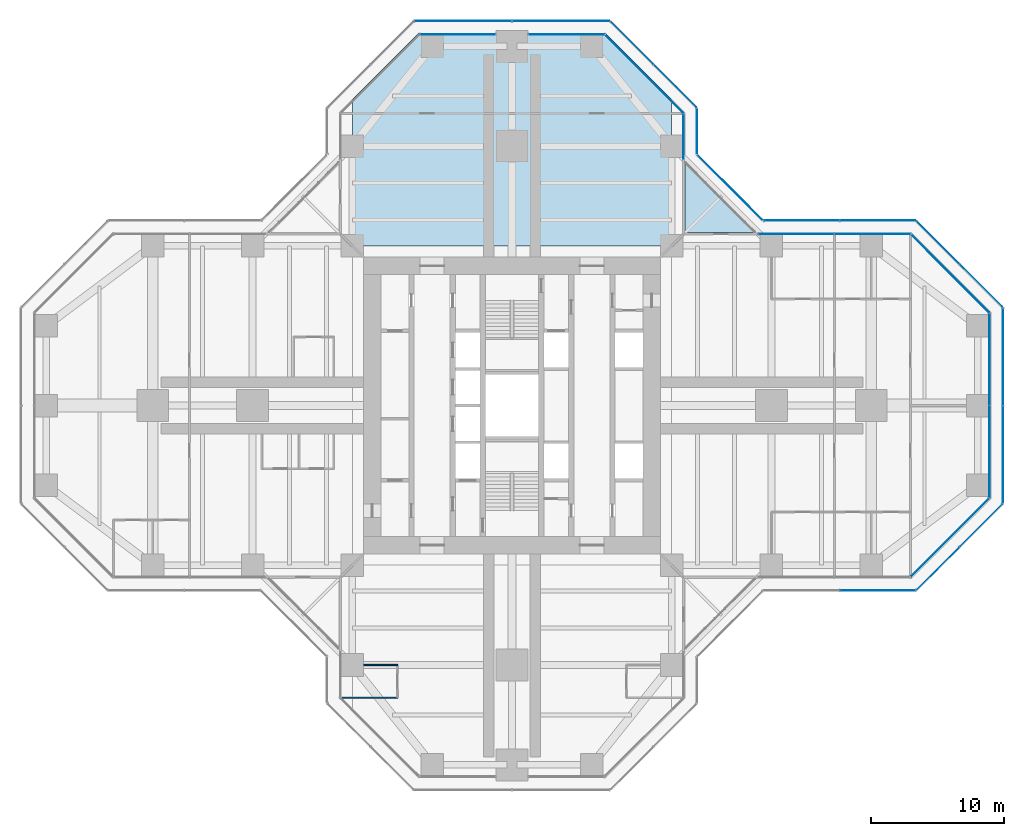
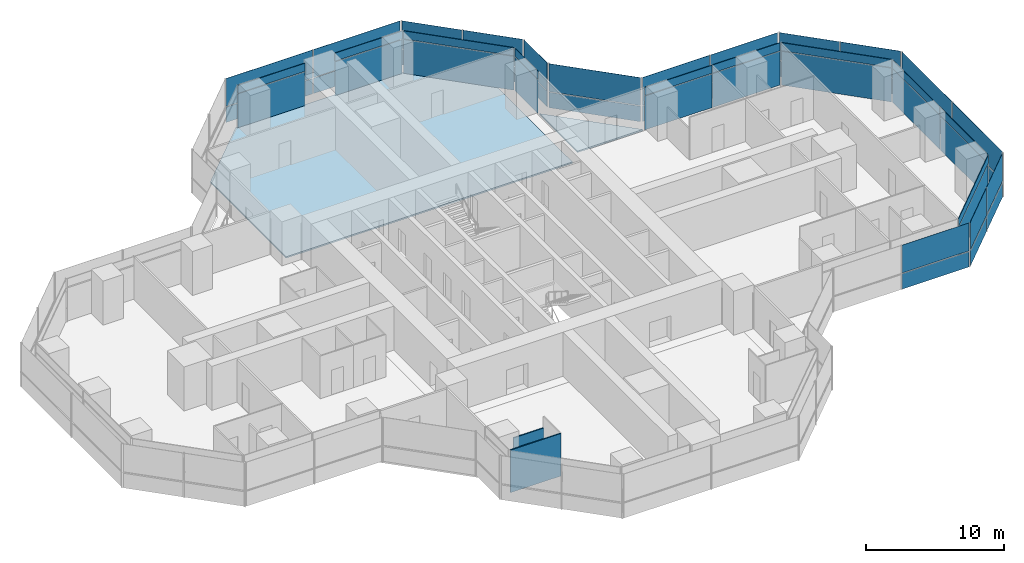
# One storey, part 14 of 20: 50 plates, 2 slabs, 2 walls, 17 elements without a shape of their own.
"""IFC4 building model written with IfcOpenShell, lengths in metres."""

from ifc_helpers import new_model, si_unit, direction, frame, frame_2d, origin, origin_2d, place, context, subcontext, project, spatial, polyline, rectangle, outline, extrude, material, layer, layer_set, type_object, element, aggregate, save


model = new_model("IFC4")

# Units and contexts
model_context = context("Model", 3, precision=1e-05, world=origin(), true_north=direction((0.0, 1.0)))
body_context = subcontext(model_context, "Body", "Model", "MODEL_VIEW")
ifc_project = project(units=[si_unit("LENGTHUNIT", "METRE"), si_unit("AREAUNIT", "SQUARE_METRE"), si_unit("VOLUMEUNIT", "CUBIC_METRE"), si_unit("PLANEANGLEUNIT", "RADIAN"), si_unit("MASSUNIT", "GRAM", prefix="KILO")], contexts=[model_context])

# Site, building, storey
site_placement = place(None, origin())
site = spatial("IfcSite", under=ifc_project, at=site_placement, CompositionType="ELEMENT")
building_placement = place(site_placement, origin())
building = spatial("IfcBuilding", under=site, at=building_placement, Name="Mizan Broadcast Tower", CompositionType="ELEMENT")
storey_placement = place(building_placement, frame((0.0, 0.0, 139.800048828125)))
storey = spatial("IfcBuildingStorey", under=building, at=storey_placement, Name="L31", CompositionType="ELEMENT", Elevation=139.800048828125)

# Slab
ifc_material_1 = material(Name="Concrete C32/40", Category="concrete")
ifc_layer_1 = layer(ifc_material_1, 0.1298828125)
ifc_layer_set_1 = layer_set([ifc_layer_1], Name="Concrete C32/40")
slab_type_1 = type_object("IfcSlabType", Name="COMPOSITE DECK SLAB 130", PredefinedType="FLOOR", material=ifc_layer_set_1)
slab_1_placement = place(storey_placement, frame((0.0, 0.0, -0.130126953125)))
element("IfcSlab", 1, at=slab_1_placement, inside=storey, type_object=slab_type_1, Name="Floor slab L31 north arm", PredefinedType="FLOOR", context=body_context, shape_type="SweptSolid", body=[
    extrude(outline(polyline([(-7.0, 28.0), (-12.0, 23.0), (-12.0, 12.0), (12.0, 12.0), (12.0, 23.0), (7.0, 28.0), (-7.0, 28.0)])), origin(), (0.0, 0.0, 1.0), 0.130126953125),
])

# Curtain wall, plate
ifc_material_2 = material(Name="Aluminium framed glazing", Category="aluminium")
curtain_wall_type_1 = type_object("IfcCurtainWallType", Name="INNER SKIN MID ZONE", PredefinedType="USERDEFINED", material=ifc_material_2)
curtain_wall_1_placement = place(storey_placement, origin())
curtain_wall_1 = element("IfcCurtainWall", 2, at=curtain_wall_1_placement, inside=storey, type_object=curtain_wall_type_1, Name="Inner skin mid zone L31 E chamfer", ObjectType="INNER SKIN MID ZONE", PredefinedType="USERDEFINED")
ifc_material_3 = material(Name="Double glazing, clear low-e", Category="glass")
ifc_layer_2 = layer(ifc_material_3, 0.028076171875)
ifc_layer_set_2 = layer_set([ifc_layer_2], Name="Double glazing, clear low-e")
plate_type_1 = type_object("IfcPlateType", Name="INNER SKIN GLAZING UNIT", PredefinedType="CURTAIN_PANEL", material=ifc_layer_set_2)
plate_1_placement = place(storey_placement, frame((32.92919921875, -9.92919921875, 0.0), z_axis=(0.0, 0.0, 1.0), x_axis=(0.707106781187, 0.707106781187, 0.0)))
plate_1 = element("IfcPlate", 3, at=plate_1_placement, type_object=plate_type_1, Name="Inner skin mid zone L31 E chamfer panel 1.1", PredefinedType="CURTAIN_PANEL", context=body_context, shape_type="SweptSolid", body=[
    extrude(rectangle(XDim=8.282470703125, YDim=0.028076171875, at=origin_2d()), origin(), (0.0, 0.0, 1.0), 3.0),
])

# Curtain wall, plates
curtain_wall_2_placement = place(storey_placement, origin())
curtain_wall_2 = element("IfcCurtainWall", 4, at=curtain_wall_2_placement, inside=storey, type_object=curtain_wall_type_1, Name="Inner skin mid zone L31 E end", ObjectType="INNER SKIN MID ZONE", PredefinedType="USERDEFINED")
plate_2_placement = place(storey_placement, frame((35.89990234375, -3.46435546875, 0.0), z_axis=(0.0, 0.0, 1.0), x_axis=(0.0, 1.0, 0.0)))
plate_2 = element("IfcPlate", 5, at=plate_2_placement, type_object=plate_type_1, Name="Inner skin mid zone L31 E end panel 1.1", PredefinedType="CURTAIN_PANEL", context=body_context, shape_type="SweptSolid", body=[
    extrude(rectangle(XDim=6.86865234375, YDim=0.028076171875, at=origin_2d()), origin(), (0.0, 0.0, 1.0), 3.0),
])
plate_3_placement = place(storey_placement, frame((35.89990234375, 3.46435546875, 0.0), z_axis=(0.0, 0.0, 1.0), x_axis=(0.0, 1.0, 0.0)))
plate_3 = element("IfcPlate", 6, at=plate_3_placement, type_object=plate_type_1, Name="Inner skin mid zone L31 E end panel 2.1", PredefinedType="CURTAIN_PANEL", context=body_context, shape_type="SweptSolid", body=[
    extrude(rectangle(XDim=6.86865234375, YDim=0.028076171875, at=origin_2d()), origin(), (0.0, 0.0, 1.0), 3.0),
])

# Curtain wall, plate
curtain_wall_3_placement = place(storey_placement, origin())
curtain_wall_3 = element("IfcCurtainWall", 7, at=curtain_wall_3_placement, inside=storey, type_object=curtain_wall_type_1, Name="Inner skin mid zone L31 E chamfer", ObjectType="INNER SKIN MID ZONE", PredefinedType="USERDEFINED")
plate_4_placement = place(storey_placement, frame((32.92919921875, 9.92919921875, 0.0), z_axis=(0.0, 0.0, 1.0), x_axis=(-0.707106781187, 0.707106781187, 0.0)))
plate_4 = element("IfcPlate", 8, at=plate_4_placement, type_object=plate_type_1, Name="Inner skin mid zone L31 E chamfer panel 1.1", PredefinedType="CURTAIN_PANEL", context=body_context, shape_type="SweptSolid", body=[
    extrude(rectangle(XDim=8.282470703125, YDim=0.028076171875, at=origin_2d()), origin(), (0.0, 0.0, 1.0), 3.0),
])

# Curtain wall, plates
curtain_wall_4_placement = place(storey_placement, origin())
curtain_wall_4 = element("IfcCurtainWall", 9, at=curtain_wall_4_placement, inside=storey, type_object=curtain_wall_type_1, Name="Inner skin mid zone L31 E side", ObjectType="INNER SKIN MID ZONE", PredefinedType="USERDEFINED")
plate_5_placement = place(storey_placement, frame((27.078857421875, 12.89990234375, 0.0), z_axis=(0.0, 0.0, 1.0), x_axis=(-1.0, 0.0, 0.0)))
plate_5 = element("IfcPlate", 10, at=plate_5_placement, type_object=plate_type_1, Name="Inner skin mid zone L31 E side panel 1.1", PredefinedType="CURTAIN_PANEL", context=body_context, shape_type="SweptSolid", body=[
    extrude(rectangle(XDim=5.639404296875, YDim=0.028076171875, at=origin_2d()), origin(), (0.0, 0.0, 1.0), 3.0),
])
plate_6_placement = place(storey_placement, frame((21.379638671875, 12.89990234375, 0.0), z_axis=(0.0, 0.0, 1.0), x_axis=(-1.0, 0.0, 0.0)))
plate_6 = element("IfcPlate", 11, at=plate_6_placement, type_object=plate_type_1, Name="Inner skin mid zone L31 E side panel 2.1", PredefinedType="CURTAIN_PANEL", context=body_context, shape_type="SweptSolid", body=[
    extrude(rectangle(XDim=5.639404296875, YDim=0.028076171875, at=origin_2d()), origin(), (0.0, 0.0, 1.0), 3.0),
])

# Curtain wall, plate
curtain_wall_5_placement = place(storey_placement, origin())
curtain_wall_5 = element("IfcCurtainWall", 12, at=curtain_wall_5_placement, inside=storey, type_object=curtain_wall_type_1, Name="Inner skin mid zone L31 N side", ObjectType="INNER SKIN MID ZONE", PredefinedType="USERDEFINED")
plate_7_placement = place(storey_placement, frame((12.89990234375, 20.229248046875, 0.0), z_axis=(0.0, 0.0, 1.0), x_axis=(0.0, 1.0, 0.0)))
plate_7 = element("IfcPlate", 13, at=plate_7_placement, type_object=plate_type_1, Name="Inner skin mid zone L31 N side panel 1.1", PredefinedType="CURTAIN_PANEL", context=body_context, shape_type="SweptSolid", body=[
    extrude(rectangle(XDim=3.338623046875, YDim=0.028076171875, at=origin_2d()), origin(), (0.0, 0.0, 1.0), 3.0),
])

curtain_wall_6_placement = place(storey_placement, origin())
curtain_wall_6 = element("IfcCurtainWall", 14, at=curtain_wall_6_placement, inside=storey, type_object=curtain_wall_type_1, Name="Inner skin mid zone L31 N chamfer", ObjectType="INNER SKIN MID ZONE", PredefinedType="USERDEFINED")
plate_8_placement = place(storey_placement, frame((9.92919921875, 24.92919921875, 0.0), z_axis=(0.0, 0.0, 1.0), x_axis=(-0.707106781187, 0.707106781187, 0.0)))
plate_8 = element("IfcPlate", 15, at=plate_8_placement, type_object=plate_type_1, Name="Inner skin mid zone L31 N chamfer panel 1.1", PredefinedType="CURTAIN_PANEL", context=body_context, shape_type="SweptSolid", body=[
    extrude(rectangle(XDim=8.282470703125, YDim=0.028076171875, at=origin_2d()), origin(), (0.0, 0.0, 1.0), 3.0),
])

curtain_wall_7_placement = place(storey_placement, origin())
curtain_wall_7 = element("IfcCurtainWall", 16, at=curtain_wall_7_placement, inside=storey, type_object=curtain_wall_type_1, Name="Inner skin mid zone L31 N end", ObjectType="INNER SKIN MID ZONE", PredefinedType="USERDEFINED")
plate_9_placement = place(storey_placement, frame((4.079345703125, 27.89990234375, 0.0), z_axis=(0.0, 0.0, 1.0), x_axis=(-1.0, 0.0, 0.0)))
plate_9 = element("IfcPlate", 17, at=plate_9_placement, type_object=plate_type_1, Name="Inner skin mid zone L31 N end panel 1.1", PredefinedType="CURTAIN_PANEL", context=body_context, shape_type="SweptSolid", body=[
    extrude(rectangle(XDim=5.638671875, YDim=0.028076171875, at=origin_2d()), origin(), (0.0, 0.0, 1.0), 3.0),
])

curtain_wall_8_placement = place(storey_placement, origin())
curtain_wall_8 = element("IfcCurtainWall", 18, at=curtain_wall_8_placement, inside=storey, type_object=curtain_wall_type_1, Name="Inner skin mid zone L31 N end", ObjectType="INNER SKIN MID ZONE", PredefinedType="USERDEFINED")
plate_10_placement = place(storey_placement, frame((-4.079345703125, 27.89990234375, 0.0), z_axis=(0.0, 0.0, 1.0), x_axis=(-1.0, 0.0, 0.0)))
plate_10 = element("IfcPlate", 19, at=plate_10_placement, type_object=plate_type_1, Name="Inner skin mid zone L31 N end panel 1.1", PredefinedType="CURTAIN_PANEL", context=body_context, shape_type="SweptSolid", body=[
    extrude(rectangle(XDim=5.638671875, YDim=0.028076171875, at=origin_2d()), origin(), (0.0, 0.0, 1.0), 3.0),
])

# Plate
ifc_material_4 = material(Name="Insulated aluminium spandrel panel, pale anodised", Category="aluminium")
ifc_layer_3 = layer(ifc_material_4, 0.050048828125)
ifc_layer_set_3 = layer_set([ifc_layer_3], Name="Insulated aluminium spandrel panel, pale anodised")
plate_type_2 = type_object("IfcPlateType", Name="INNER SKIN SPANDREL PANEL", PredefinedType="CURTAIN_PANEL", material=ifc_layer_set_3)
plate_11_placement = place(storey_placement, frame((32.92919921875, -9.92919921875, 3.06005859375), z_axis=(0.0, 0.0, 1.0), x_axis=(0.707106781187, 0.707106781187, 0.0)))
plate_11 = element("IfcPlate", 20, at=plate_11_placement, type_object=plate_type_2, Name="Inner skin mid zone L31 E chamfer panel 1.2", PredefinedType="CURTAIN_PANEL", context=body_context, shape_type="SweptSolid", body=[
    extrude(rectangle(XDim=8.282470703125, YDim=0.050048828125, at=origin_2d()), origin(), (0.0, 0.0, 1.0), 0.7099609375),
])

aggregate(curtain_wall_1, [plate_1, plate_11])

plate_12_placement = place(storey_placement, frame((35.89990234375, -3.46435546875, 3.06005859375), z_axis=(0.0, 0.0, 1.0), x_axis=(0.0, 1.0, 0.0)))
plate_12 = element("IfcPlate", 21, at=plate_12_placement, type_object=plate_type_2, Name="Inner skin mid zone L31 E end panel 1.2", PredefinedType="CURTAIN_PANEL", context=body_context, shape_type="SweptSolid", body=[
    extrude(rectangle(XDim=6.86865234375, YDim=0.050048828125, at=origin_2d()), origin(), (0.0, 0.0, 1.0), 0.7099609375),
])

plate_13_placement = place(storey_placement, frame((35.89990234375, 3.46435546875, 3.06005859375), z_axis=(0.0, 0.0, 1.0), x_axis=(0.0, 1.0, 0.0)))
plate_13 = element("IfcPlate", 22, at=plate_13_placement, type_object=plate_type_2, Name="Inner skin mid zone L31 E end panel 2.2", PredefinedType="CURTAIN_PANEL", context=body_context, shape_type="SweptSolid", body=[
    extrude(rectangle(XDim=6.86865234375, YDim=0.050048828125, at=origin_2d()), origin(), (0.0, 0.0, 1.0), 0.7099609375),
])

aggregate(curtain_wall_2, [plate_2, plate_12, plate_3, plate_13])

plate_14_placement = place(storey_placement, frame((32.92919921875, 9.92919921875, 3.06005859375), z_axis=(0.0, 0.0, 1.0), x_axis=(-0.707106781187, 0.707106781187, 0.0)))
plate_14 = element("IfcPlate", 23, at=plate_14_placement, type_object=plate_type_2, Name="Inner skin mid zone L31 E chamfer panel 1.2", PredefinedType="CURTAIN_PANEL", context=body_context, shape_type="SweptSolid", body=[
    extrude(rectangle(XDim=8.282470703125, YDim=0.050048828125, at=origin_2d()), origin(), (0.0, 0.0, 1.0), 0.7099609375),
])

aggregate(curtain_wall_3, [plate_4, plate_14])

plate_15_placement = place(storey_placement, frame((27.078857421875, 12.89990234375, 3.06005859375), z_axis=(0.0, 0.0, 1.0), x_axis=(-1.0, 0.0, 0.0)))
plate_15 = element("IfcPlate", 24, at=plate_15_placement, type_object=plate_type_2, Name="Inner skin mid zone L31 E side panel 1.2", PredefinedType="CURTAIN_PANEL", context=body_context, shape_type="SweptSolid", body=[
    extrude(rectangle(XDim=5.639404296875, YDim=0.050048828125, at=origin_2d()), origin(), (0.0, 0.0, 1.0), 0.7099609375),
])

plate_16_placement = place(storey_placement, frame((21.379638671875, 12.89990234375, 3.06005859375), z_axis=(0.0, 0.0, 1.0), x_axis=(-1.0, 0.0, 0.0)))
plate_16 = element("IfcPlate", 25, at=plate_16_placement, type_object=plate_type_2, Name="Inner skin mid zone L31 E side panel 2.2", PredefinedType="CURTAIN_PANEL", context=body_context, shape_type="SweptSolid", body=[
    extrude(rectangle(XDim=5.639404296875, YDim=0.050048828125, at=origin_2d()), origin(), (0.0, 0.0, 1.0), 0.7099609375),
])

aggregate(curtain_wall_4, [plate_5, plate_15, plate_6, plate_16])

plate_17_placement = place(storey_placement, frame((12.89990234375, 20.229248046875, 3.06005859375), z_axis=(0.0, 0.0, 1.0), x_axis=(0.0, 1.0, 0.0)))
plate_17 = element("IfcPlate", 26, at=plate_17_placement, type_object=plate_type_2, Name="Inner skin mid zone L31 N side panel 1.2", PredefinedType="CURTAIN_PANEL", context=body_context, shape_type="SweptSolid", body=[
    extrude(rectangle(XDim=3.338623046875, YDim=0.050048828125, at=origin_2d()), origin(), (0.0, 0.0, 1.0), 0.7099609375),
])

aggregate(curtain_wall_5, [plate_7, plate_17])

plate_18_placement = place(storey_placement, frame((9.92919921875, 24.92919921875, 3.06005859375), z_axis=(0.0, 0.0, 1.0), x_axis=(-0.707106781187, 0.707106781187, 0.0)))
plate_18 = element("IfcPlate", 27, at=plate_18_placement, type_object=plate_type_2, Name="Inner skin mid zone L31 N chamfer panel 1.2", PredefinedType="CURTAIN_PANEL", context=body_context, shape_type="SweptSolid", body=[
    extrude(rectangle(XDim=8.282470703125, YDim=0.050048828125, at=origin_2d()), origin(), (0.0, 0.0, 1.0), 0.7099609375),
])

aggregate(curtain_wall_6, [plate_8, plate_18])

plate_19_placement = place(storey_placement, frame((4.079345703125, 27.89990234375, 3.06005859375), z_axis=(0.0, 0.0, 1.0), x_axis=(-1.0, 0.0, 0.0)))
plate_19 = element("IfcPlate", 28, at=plate_19_placement, type_object=plate_type_2, Name="Inner skin mid zone L31 N end panel 1.2", PredefinedType="CURTAIN_PANEL", context=body_context, shape_type="SweptSolid", body=[
    extrude(rectangle(XDim=5.638671875, YDim=0.050048828125, at=origin_2d()), origin(), (0.0, 0.0, 1.0), 0.7099609375),
])

aggregate(curtain_wall_7, [plate_9, plate_19])

plate_20_placement = place(storey_placement, frame((-4.079345703125, 27.89990234375, 3.06005859375), z_axis=(0.0, 0.0, 1.0), x_axis=(-1.0, 0.0, 0.0)))
plate_20 = element("IfcPlate", 29, at=plate_20_placement, type_object=plate_type_2, Name="Inner skin mid zone L31 N end panel 1.2", PredefinedType="CURTAIN_PANEL", context=body_context, shape_type="SweptSolid", body=[
    extrude(rectangle(XDim=5.638671875, YDim=0.050048828125, at=origin_2d()), origin(), (0.0, 0.0, 1.0), 0.7099609375),
])

aggregate(curtain_wall_8, [plate_10, plate_20])

# Curtain wall, plates
ifc_material_5 = material(Name="Aluminium framed glazing", Category="aluminium")
curtain_wall_type_2 = type_object("IfcCurtainWallType", Name="OUTER SKIN", PredefinedType="USERDEFINED", material=ifc_material_5)
curtain_wall_9_placement = place(storey_placement, origin())
curtain_wall_9 = element("IfcCurtainWall", 30, at=curtain_wall_9_placement, inside=storey, type_object=curtain_wall_type_2, Name="Outer skin L31 E chamfer", ObjectType="OUTER SKIN", PredefinedType="USERDEFINED")
ifc_material_6 = material(Name="Laminated clear glass", Category="glass")
ifc_layer_4 = layer(ifc_material_6, 0.02001953125)
ifc_layer_set_4 = layer_set([ifc_layer_4], Name="Laminated clear glass")
plate_type_3 = type_object("IfcPlateType", Name="OUTER SKIN CLEAR GLASS", PredefinedType="CURTAIN_PANEL", material=ifc_layer_set_4)
plate_21_placement = place(storey_placement, frame((32.018798828125, -12.254150390625, 0.0), z_axis=(0.0, 0.0, 1.0), x_axis=(0.707106781187, 0.707106781187, 0.0)))
plate_21 = element("IfcPlate", 31, at=plate_21_placement, type_object=plate_type_3, Name="Outer skin L31 E chamfer panel 1.1", PredefinedType="CURTAIN_PANEL", context=body_context, shape_type="SweptSolid", body=[
    extrude(rectangle(XDim=4.495361328125, YDim=0.02001953125, at=origin_2d()), origin(), (0.0, 0.0, 1.0), 1.3701171875),
])
plate_22_placement = place(storey_placement, frame((32.018798828125, -12.254150390625, 1.43017578125), z_axis=(0.0, 0.0, 1.0), x_axis=(0.707106781187, 0.707106781187, 0.0)))
plate_22 = element("IfcPlate", 32, at=plate_22_placement, type_object=plate_type_3, Name="Outer skin L31 E chamfer panel 1.2", PredefinedType="CURTAIN_PANEL", context=body_context, shape_type="SweptSolid", body=[
    extrude(rectangle(XDim=4.495361328125, YDim=0.02001953125, at=origin_2d()), origin(), (0.0, 0.0, 1.0), 2.469970703125),
])

curtain_wall_10_placement = place(storey_placement, origin())
curtain_wall_10 = element("IfcCurtainWall", 33, at=curtain_wall_10_placement, inside=storey, type_object=curtain_wall_type_2, Name="Outer skin L31 E end", ObjectType="OUTER SKIN", PredefinedType="USERDEFINED")
plate_23_placement = place(storey_placement, frame((36.89990234375, -3.66650390625, 0.0), z_axis=(0.0, 0.0, 1.0), x_axis=(0.0, 1.0, 0.0)))
plate_23 = element("IfcPlate", 34, at=plate_23_placement, type_object=plate_type_3, Name="Outer skin L31 E end panel 1.1", PredefinedType="CURTAIN_PANEL", context=body_context, shape_type="SweptSolid", body=[
    extrude(rectangle(XDim=7.252685546875, YDim=0.02001953125, at=origin_2d()), origin(), (0.0, 0.0, 1.0), 1.3701171875),
])
plate_24_placement = place(storey_placement, frame((36.89990234375, -3.66650390625, 1.43017578125), z_axis=(0.0, 0.0, 1.0), x_axis=(0.0, 1.0, 0.0)))
plate_24 = element("IfcPlate", 35, at=plate_24_placement, type_object=plate_type_3, Name="Outer skin L31 E end panel 1.2", PredefinedType="CURTAIN_PANEL", context=body_context, shape_type="SweptSolid", body=[
    extrude(rectangle(XDim=7.252685546875, YDim=0.02001953125, at=origin_2d()), origin(), (0.0, 0.0, 1.0), 2.469970703125),
])

curtain_wall_11_placement = place(storey_placement, origin())
curtain_wall_11 = element("IfcCurtainWall", 36, at=curtain_wall_11_placement, inside=storey, type_object=curtain_wall_type_2, Name="Outer skin L31 E chamfer", ObjectType="OUTER SKIN", PredefinedType="USERDEFINED")
plate_25_placement = place(storey_placement, frame((35.254150390625, 9.018798828125, 0.0), z_axis=(0.0, 0.0, 1.0), x_axis=(-0.707106781187, 0.707106781187, 0.0)))
plate_25 = element("IfcPlate", 37, at=plate_25_placement, type_object=plate_type_3, Name="Outer skin L31 E chamfer panel 1.1", PredefinedType="CURTAIN_PANEL", context=body_context, shape_type="SweptSolid", body=[
    extrude(rectangle(XDim=4.495361328125, YDim=0.02001953125, at=origin_2d()), origin(), (0.0, 0.0, 1.0), 1.3701171875),
])
plate_26_placement = place(storey_placement, frame((35.254150390625, 9.018798828125, 1.43017578125), z_axis=(0.0, 0.0, 1.0), x_axis=(-0.707106781187, 0.707106781187, 0.0)))
plate_26 = element("IfcPlate", 38, at=plate_26_placement, type_object=plate_type_3, Name="Outer skin L31 E chamfer panel 1.2", PredefinedType="CURTAIN_PANEL", context=body_context, shape_type="SweptSolid", body=[
    extrude(rectangle(XDim=4.495361328125, YDim=0.02001953125, at=origin_2d()), origin(), (0.0, 0.0, 1.0), 2.469970703125),
])

curtain_wall_12_placement = place(storey_placement, origin())
curtain_wall_12 = element("IfcCurtainWall", 39, at=curtain_wall_12_placement, inside=storey, type_object=curtain_wall_type_2, Name="Outer skin L31 E side", ObjectType="OUTER SKIN", PredefinedType="USERDEFINED")
plate_27_placement = place(storey_placement, frame((27.477783203125, 13.89990234375, 0.0), z_axis=(0.0, 0.0, 1.0), x_axis=(-1.0, 0.0, 0.0)))
plate_27 = element("IfcPlate", 40, at=plate_27_placement, type_object=plate_type_3, Name="Outer skin L31 E side panel 1.1", PredefinedType="CURTAIN_PANEL", context=body_context, shape_type="SweptSolid", body=[
    extrude(rectangle(XDim=5.6298828125, YDim=0.02001953125, at=origin_2d()), origin(), (0.0, 0.0, 1.0), 1.3701171875),
])
plate_28_placement = place(storey_placement, frame((27.477783203125, 13.89990234375, 1.43017578125), z_axis=(0.0, 0.0, 1.0), x_axis=(-1.0, 0.0, 0.0)))
plate_28 = element("IfcPlate", 41, at=plate_28_placement, type_object=plate_type_3, Name="Outer skin L31 E side panel 1.2", PredefinedType="CURTAIN_PANEL", context=body_context, shape_type="SweptSolid", body=[
    extrude(rectangle(XDim=5.6298828125, YDim=0.02001953125, at=origin_2d()), origin(), (0.0, 0.0, 1.0), 2.469970703125),
])
plate_29_placement = place(storey_placement, frame((21.767822265625, 13.89990234375, 0.0), z_axis=(0.0, 0.0, 1.0), x_axis=(-1.0, 0.0, 0.0)))
plate_29 = element("IfcPlate", 42, at=plate_29_placement, type_object=plate_type_3, Name="Outer skin L31 E side panel 2.1", PredefinedType="CURTAIN_PANEL", context=body_context, shape_type="SweptSolid", body=[
    extrude(rectangle(XDim=5.6298828125, YDim=0.02001953125, at=origin_2d()), origin(), (0.0, 0.0, 1.0), 1.3701171875),
])
plate_30_placement = place(storey_placement, frame((21.767822265625, 13.89990234375, 1.43017578125), z_axis=(0.0, 0.0, 1.0), x_axis=(-1.0, 0.0, 0.0)))
plate_30 = element("IfcPlate", 43, at=plate_30_placement, type_object=plate_type_3, Name="Outer skin L31 E side panel 2.2", PredefinedType="CURTAIN_PANEL", context=body_context, shape_type="SweptSolid", body=[
    extrude(rectangle(XDim=5.6298828125, YDim=0.02001953125, at=origin_2d()), origin(), (0.0, 0.0, 1.0), 2.469970703125),
])
aggregate(curtain_wall_12, [plate_27, plate_28, plate_29, plate_30])

curtain_wall_13_placement = place(storey_placement, origin())
curtain_wall_13 = element("IfcCurtainWall", 44, at=curtain_wall_13_placement, inside=storey, type_object=curtain_wall_type_2, Name="Outer skin L31 E chamfer", ObjectType="OUTER SKIN", PredefinedType="USERDEFINED")
plate_31_placement = place(storey_placement, frame((16.386474609375, 16.386474609375, 0.0), z_axis=(0.0, 0.0, 1.0), x_axis=(-0.707106781187, 0.707106781187, 0.0)))
plate_31 = element("IfcPlate", 45, at=plate_31_placement, type_object=plate_type_3, Name="Outer skin L31 E chamfer panel 1.1", PredefinedType="CURTAIN_PANEL", context=body_context, shape_type="SweptSolid", body=[
    extrude(rectangle(XDim=6.87255859375, YDim=0.02001953125, at=origin_2d()), origin(), (0.0, 0.0, 1.0), 1.3701171875),
])
plate_32_placement = place(storey_placement, frame((16.386474609375, 16.386474609375, 1.43017578125), z_axis=(0.0, 0.0, 1.0), x_axis=(-0.707106781187, 0.707106781187, 0.0)))
plate_32 = element("IfcPlate", 46, at=plate_32_placement, type_object=plate_type_3, Name="Outer skin L31 E chamfer panel 1.2", PredefinedType="CURTAIN_PANEL", context=body_context, shape_type="SweptSolid", body=[
    extrude(rectangle(XDim=6.87255859375, YDim=0.02001953125, at=origin_2d()), origin(), (0.0, 0.0, 1.0), 2.469970703125),
])
aggregate(curtain_wall_13, [plate_31, plate_32])

curtain_wall_14_placement = place(storey_placement, origin())
curtain_wall_14 = element("IfcCurtainWall", 47, at=curtain_wall_14_placement, inside=storey, type_object=curtain_wall_type_2, Name="Outer skin L31 N side", ObjectType="OUTER SKIN", PredefinedType="USERDEFINED")
plate_33_placement = place(storey_placement, frame((13.89990234375, 20.622802734375, 0.0), z_axis=(0.0, 0.0, 1.0), x_axis=(0.0, 1.0, 0.0)))
plate_33 = element("IfcPlate", 48, at=plate_33_placement, type_object=plate_type_3, Name="Outer skin L31 N side panel 1.1", PredefinedType="CURTAIN_PANEL", context=body_context, shape_type="SweptSolid", body=[
    extrude(rectangle(XDim=3.340087890625, YDim=0.02001953125, at=origin_2d()), origin(), (0.0, 0.0, 1.0), 1.3701171875),
])
plate_34_placement = place(storey_placement, frame((13.89990234375, 20.622802734375, 1.43017578125), z_axis=(0.0, 0.0, 1.0), x_axis=(0.0, 1.0, 0.0)))
plate_34 = element("IfcPlate", 49, at=plate_34_placement, type_object=plate_type_3, Name="Outer skin L31 N side panel 1.2", PredefinedType="CURTAIN_PANEL", context=body_context, shape_type="SweptSolid", body=[
    extrude(rectangle(XDim=3.340087890625, YDim=0.02001953125, at=origin_2d()), origin(), (0.0, 0.0, 1.0), 2.469970703125),
])
aggregate(curtain_wall_14, [plate_33, plate_34])

curtain_wall_15_placement = place(storey_placement, origin())
curtain_wall_15 = element("IfcCurtainWall", 50, at=curtain_wall_15_placement, inside=storey, type_object=curtain_wall_type_2, Name="Outer skin L31 N chamfer", ObjectType="OUTER SKIN", PredefinedType="USERDEFINED")
plate_35_placement = place(storey_placement, frame((12.254150390625, 24.018798828125, 0.0), z_axis=(0.0, 0.0, 1.0), x_axis=(-0.707106781187, 0.707106781187, 0.0)))
plate_35 = element("IfcPlate", 51, at=plate_35_placement, type_object=plate_type_3, Name="Outer skin L31 N chamfer panel 1.1", PredefinedType="CURTAIN_PANEL", context=body_context, shape_type="SweptSolid", body=[
    extrude(rectangle(XDim=4.495361328125, YDim=0.02001953125, at=origin_2d()), origin(), (0.0, 0.0, 1.0), 1.3701171875),
])
plate_36_placement = place(storey_placement, frame((12.254150390625, 24.018798828125, 1.43017578125), z_axis=(0.0, 0.0, 1.0), x_axis=(-0.707106781187, 0.707106781187, 0.0)))
plate_36 = element("IfcPlate", 52, at=plate_36_placement, type_object=plate_type_3, Name="Outer skin L31 N chamfer panel 1.2", PredefinedType="CURTAIN_PANEL", context=body_context, shape_type="SweptSolid", body=[
    extrude(rectangle(XDim=4.495361328125, YDim=0.02001953125, at=origin_2d()), origin(), (0.0, 0.0, 1.0), 2.469970703125),
])

curtain_wall_16_placement = place(storey_placement, origin())
curtain_wall_16 = element("IfcCurtainWall", 53, at=curtain_wall_16_placement, inside=storey, type_object=curtain_wall_type_2, Name="Outer skin L31 N end", ObjectType="OUTER SKIN", PredefinedType="USERDEFINED")
plate_37_placement = place(storey_placement, frame((3.66650390625, 28.89990234375, 0.0), z_axis=(0.0, 0.0, 1.0), x_axis=(-1.0, 0.0, 0.0)))
plate_37 = element("IfcPlate", 54, at=plate_37_placement, type_object=plate_type_3, Name="Outer skin L31 N end panel 1.1", PredefinedType="CURTAIN_PANEL", context=body_context, shape_type="SweptSolid", body=[
    extrude(rectangle(XDim=7.252685546875, YDim=0.02001953125, at=origin_2d()), origin(), (0.0, 0.0, 1.0), 1.3701171875),
])
plate_38_placement = place(storey_placement, frame((3.66650390625, 28.89990234375, 1.43017578125), z_axis=(0.0, 0.0, 1.0), x_axis=(-1.0, 0.0, 0.0)))
plate_38 = element("IfcPlate", 55, at=plate_38_placement, type_object=plate_type_3, Name="Outer skin L31 N end panel 1.2", PredefinedType="CURTAIN_PANEL", context=body_context, shape_type="SweptSolid", body=[
    extrude(rectangle(XDim=7.252685546875, YDim=0.02001953125, at=origin_2d()), origin(), (0.0, 0.0, 1.0), 2.469970703125),
])
plate_39_placement = place(storey_placement, frame((-3.66650390625, 28.89990234375, 0.0), z_axis=(0.0, 0.0, 1.0), x_axis=(-1.0, 0.0, 0.0)))
plate_39 = element("IfcPlate", 56, at=plate_39_placement, type_object=plate_type_3, Name="Outer skin L31 N end panel 2.1", PredefinedType="CURTAIN_PANEL", context=body_context, shape_type="SweptSolid", body=[
    extrude(rectangle(XDim=7.252685546875, YDim=0.02001953125, at=origin_2d()), origin(), (0.0, 0.0, 1.0), 1.3701171875),
])
plate_40_placement = place(storey_placement, frame((-3.66650390625, 28.89990234375, 1.43017578125), z_axis=(0.0, 0.0, 1.0), x_axis=(-1.0, 0.0, 0.0)))
plate_40 = element("IfcPlate", 57, at=plate_40_placement, type_object=plate_type_3, Name="Outer skin L31 N end panel 2.2", PredefinedType="CURTAIN_PANEL", context=body_context, shape_type="SweptSolid", body=[
    extrude(rectangle(XDim=7.252685546875, YDim=0.02001953125, at=origin_2d()), origin(), (0.0, 0.0, 1.0), 2.469970703125),
])
aggregate(curtain_wall_16, [plate_37, plate_38, plate_39, plate_40])

# Plate
ifc_material_7 = material(Name="Perforated aluminium, pale anodised", Category="aluminium")
ifc_layer_5 = layer(ifc_material_7, 0.011962890625)
ifc_layer_set_5 = layer_set([ifc_layer_5], Name="Perforated aluminium, pale anodised")
plate_type_4 = type_object("IfcPlateType", Name="OUTER SKIN PERFORATED SCREEN", PredefinedType="USERDEFINED", material=ifc_layer_set_5)
plate_41_placement = place(storey_placement, frame((35.254150390625, -9.018798828125, 0.0), z_axis=(0.0, 0.0, 1.0), x_axis=(0.707106781187, 0.707106781187, 0.0)))
plate_41 = element("IfcPlate", 58, at=plate_41_placement, type_object=plate_type_4, Name="Outer skin L31 E chamfer panel 2.1", ObjectType="SCREEN", PredefinedType="USERDEFINED", context=body_context, shape_type="SweptSolid", body=[
    extrude(rectangle(XDim=4.495361328125, YDim=0.011962890625, at=origin_2d()), origin(), (0.0, 0.0, 1.0), 1.3701171875),
])

plate_42_placement = place(storey_placement, frame((35.254150390625, -9.018798828125, 1.43017578125), z_axis=(0.0, 0.0, 1.0), x_axis=(0.707106781187, 0.707106781187, 0.0)))
plate_42 = element("IfcPlate", 59, at=plate_42_placement, type_object=plate_type_4, Name="Outer skin L31 E chamfer panel 2.2", ObjectType="SCREEN", PredefinedType="USERDEFINED", context=body_context, shape_type="SweptSolid", body=[
    extrude(rectangle(XDim=4.495361328125, YDim=0.011962890625, at=origin_2d()), origin(), (0.0, 0.0, 1.0), 2.469970703125),
])

aggregate(curtain_wall_9, [plate_21, plate_22, plate_41, plate_42])

plate_43_placement = place(storey_placement, frame((36.89990234375, 3.66650390625, 0.0), z_axis=(0.0, 0.0, 1.0), x_axis=(0.0, 1.0, 0.0)))
plate_43 = element("IfcPlate", 60, at=plate_43_placement, type_object=plate_type_4, Name="Outer skin L31 E end panel 2.1", ObjectType="SCREEN", PredefinedType="USERDEFINED", context=body_context, shape_type="SweptSolid", body=[
    extrude(rectangle(XDim=7.252685546875, YDim=0.011962890625, at=origin_2d()), origin(), (0.0, 0.0, 1.0), 1.3701171875),
])

plate_44_placement = place(storey_placement, frame((36.89990234375, 3.66650390625, 1.43017578125), z_axis=(0.0, 0.0, 1.0), x_axis=(0.0, 1.0, 0.0)))
plate_44 = element("IfcPlate", 61, at=plate_44_placement, type_object=plate_type_4, Name="Outer skin L31 E end panel 2.2", ObjectType="SCREEN", PredefinedType="USERDEFINED", context=body_context, shape_type="SweptSolid", body=[
    extrude(rectangle(XDim=7.252685546875, YDim=0.011962890625, at=origin_2d()), origin(), (0.0, 0.0, 1.0), 2.469970703125),
])

aggregate(curtain_wall_10, [plate_23, plate_24, plate_43, plate_44])

plate_45_placement = place(storey_placement, frame((32.018798828125, 12.254150390625, 0.0), z_axis=(0.0, 0.0, 1.0), x_axis=(-0.707106781187, 0.707106781187, 0.0)))
plate_45 = element("IfcPlate", 62, at=plate_45_placement, type_object=plate_type_4, Name="Outer skin L31 E chamfer panel 2.1", ObjectType="SCREEN", PredefinedType="USERDEFINED", context=body_context, shape_type="SweptSolid", body=[
    extrude(rectangle(XDim=4.495361328125, YDim=0.011962890625, at=origin_2d()), origin(), (0.0, 0.0, 1.0), 1.3701171875),
])

plate_46_placement = place(storey_placement, frame((32.018798828125, 12.254150390625, 1.43017578125), z_axis=(0.0, 0.0, 1.0), x_axis=(-0.707106781187, 0.707106781187, 0.0)))
plate_46 = element("IfcPlate", 63, at=plate_46_placement, type_object=plate_type_4, Name="Outer skin L31 E chamfer panel 2.2", ObjectType="SCREEN", PredefinedType="USERDEFINED", context=body_context, shape_type="SweptSolid", body=[
    extrude(rectangle(XDim=4.495361328125, YDim=0.011962890625, at=origin_2d()), origin(), (0.0, 0.0, 1.0), 2.469970703125),
])

aggregate(curtain_wall_11, [plate_25, plate_26, plate_45, plate_46])

plate_47_placement = place(storey_placement, frame((9.018798828125, 27.254150390625, 0.0), z_axis=(0.0, 0.0, 1.0), x_axis=(-0.707106781187, 0.707106781187, 0.0)))
plate_47 = element("IfcPlate", 64, at=plate_47_placement, type_object=plate_type_4, Name="Outer skin L31 N chamfer panel 2.1", ObjectType="SCREEN", PredefinedType="USERDEFINED", context=body_context, shape_type="SweptSolid", body=[
    extrude(rectangle(XDim=4.495361328125, YDim=0.011962890625, at=origin_2d()), origin(), (0.0, 0.0, 1.0), 1.3701171875),
])

plate_48_placement = place(storey_placement, frame((9.018798828125, 27.254150390625, 1.43017578125), z_axis=(0.0, 0.0, 1.0), x_axis=(-0.707106781187, 0.707106781187, 0.0)))
plate_48 = element("IfcPlate", 65, at=plate_48_placement, type_object=plate_type_4, Name="Outer skin L31 N chamfer panel 2.2", ObjectType="SCREEN", PredefinedType="USERDEFINED", context=body_context, shape_type="SweptSolid", body=[
    extrude(rectangle(XDim=4.495361328125, YDim=0.011962890625, at=origin_2d()), origin(), (0.0, 0.0, 1.0), 2.469970703125),
])

aggregate(curtain_wall_15, [plate_35, plate_36, plate_47, plate_48])

# Curtain wall, plates
curtain_wall_17_placement = place(storey_placement, origin())
curtain_wall_17 = element("IfcCurtainWall", 66, at=curtain_wall_17_placement, inside=storey, type_object=curtain_wall_type_2, Name="Outer skin L31 E side", ObjectType="OUTER SKIN", PredefinedType="USERDEFINED")
plate_49_placement = place(storey_placement, frame((27.477783203125, -13.89990234375, 0.0), z_axis=(0.0, 0.0, 1.0), x_axis=(1.0, 0.0, 0.0)))
plate_49 = element("IfcPlate", 67, at=plate_49_placement, type_object=plate_type_4, Name="Outer skin L31 E side panel 2.1", ObjectType="SCREEN", PredefinedType="USERDEFINED", context=body_context, shape_type="SweptSolid", body=[
    extrude(rectangle(XDim=5.6298828125, YDim=0.011962890625, at=origin_2d()), origin(), (0.0, 0.0, 1.0), 1.3701171875),
])
plate_50_placement = place(storey_placement, frame((27.477783203125, -13.89990234375, 1.43017578125), z_axis=(0.0, 0.0, 1.0), x_axis=(1.0, 0.0, 0.0)))
plate_50 = element("IfcPlate", 68, at=plate_50_placement, type_object=plate_type_4, Name="Outer skin L31 E side panel 2.2", ObjectType="SCREEN", PredefinedType="USERDEFINED", context=body_context, shape_type="SweptSolid", body=[
    extrude(rectangle(XDim=5.6298828125, YDim=0.011962890625, at=origin_2d()), origin(), (0.0, 0.0, 1.0), 2.469970703125),
])
aggregate(curtain_wall_17, [plate_49, plate_50])

# Slab
ifc_material_8 = material(Name="Concrete C32/40", Category="concrete")
ifc_layer_6 = layer(ifc_material_8, 0.1298828125)
ifc_layer_set_6 = layer_set([ifc_layer_6], Name="Concrete C32/40")
slab_type_2 = type_object("IfcSlabType", Name="WINTER GARDEN SLAB 130", PredefinedType="FLOOR", material=ifc_layer_set_6)
slab_2_placement = place(storey_placement, frame((0.0, 0.0, -0.130126953125)))
element("IfcSlab", 69, at=slab_2_placement, inside=storey, type_object=slab_type_2, Name="Winter garden slab L31 E", PredefinedType="FLOOR", context=body_context, shape_type="SweptSolid", body=[
    extrude(outline(polyline([(13.0, 13.0), (18.5, 13.0), (13.0, 18.5), (13.0, 13.0)])), origin(), (0.0, 0.0, 1.0), 0.130126953125),
])

# Walls
ifc_material_9 = material(Name="Glazed aluminium partition on aluminium track", Category="aluminium")
ifc_layer_7 = layer(ifc_material_9, 0.10009765625)
ifc_layer_set_7 = layer_set([ifc_layer_7], Name="Glazed aluminium partition on aluminium track")
wall_type = type_object("IfcWallType", Name="PARTITION GLAZED OFFICE FRONT 100", PredefinedType="PARTITIONING", material=ifc_layer_set_7)
wall_1_placement = place(storey_placement, frame((-8.60009765625, -19.5, 0.0), z_axis=(0.0, 0.0, 1.0), x_axis=(-1.0, 0.0, 0.0)))
element("IfcWall", 70, at=wall_1_placement, inside=storey, type_object=wall_type, Name="Glazed office front PT/SQN1950", PredefinedType="PARTITIONING", context=body_context, shape_type="SweptSolid", body=[
    extrude(rectangle(XDim=2.5498046875, YDim=0.10009765625, at=frame_2d((1.27490234375, 0.0))), origin(), (0.0, 0.0, 1.0), 2.77001953125),
])
wall_2_placement = place(storey_placement, frame((-8.60009765625, -21.958984375, 0.0), z_axis=(0.0, 0.0, 1.0), x_axis=(-1.0, 0.0, 0.0)))
element("IfcWall", 71, at=wall_2_placement, inside=storey, type_object=wall_type, Name="Glazed office front PT/SQN2196", PredefinedType="PARTITIONING", context=body_context, shape_type="SweptSolid", body=[
    extrude(rectangle(XDim=4.219970703125, YDim=0.10009765625, at=frame_2d((2.10986328125, 0.0))), origin(), (0.0, 0.0, 1.0), 3.77001953125),
])

save(model, "model.ifc")
